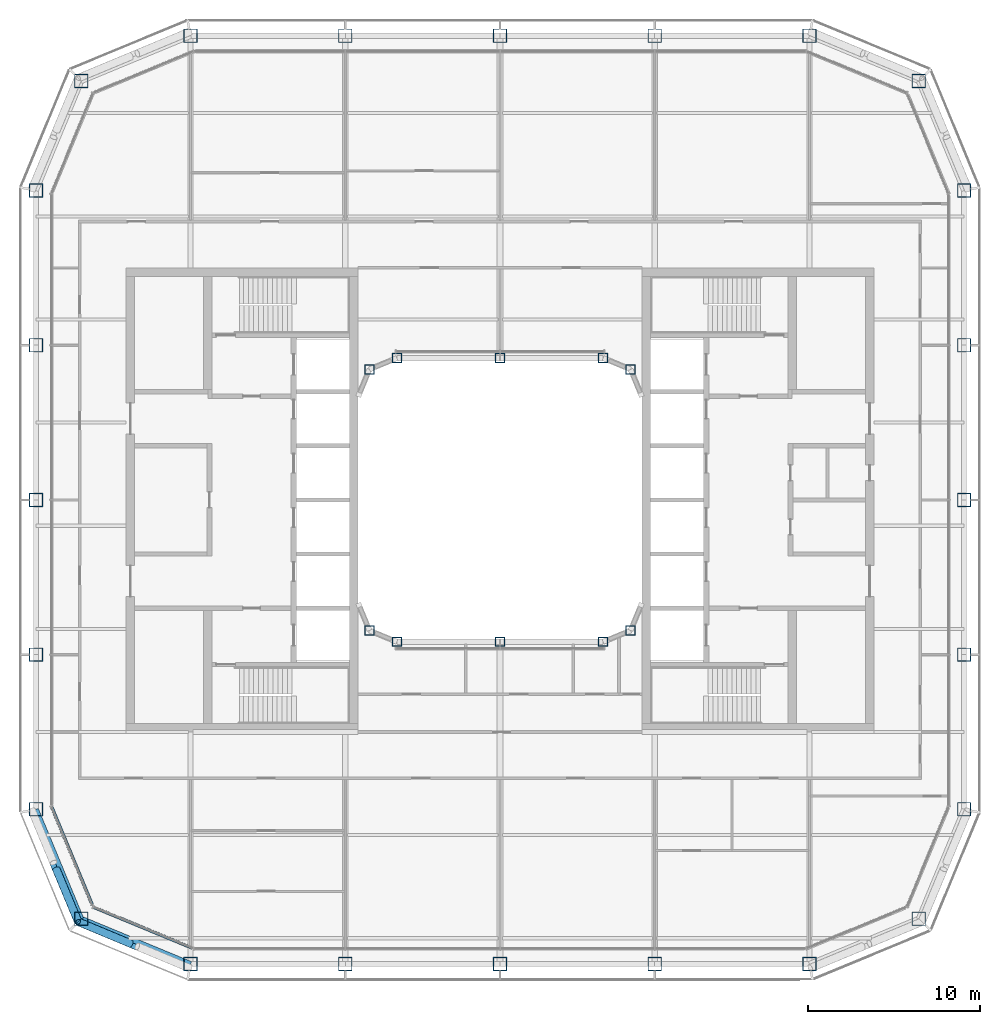
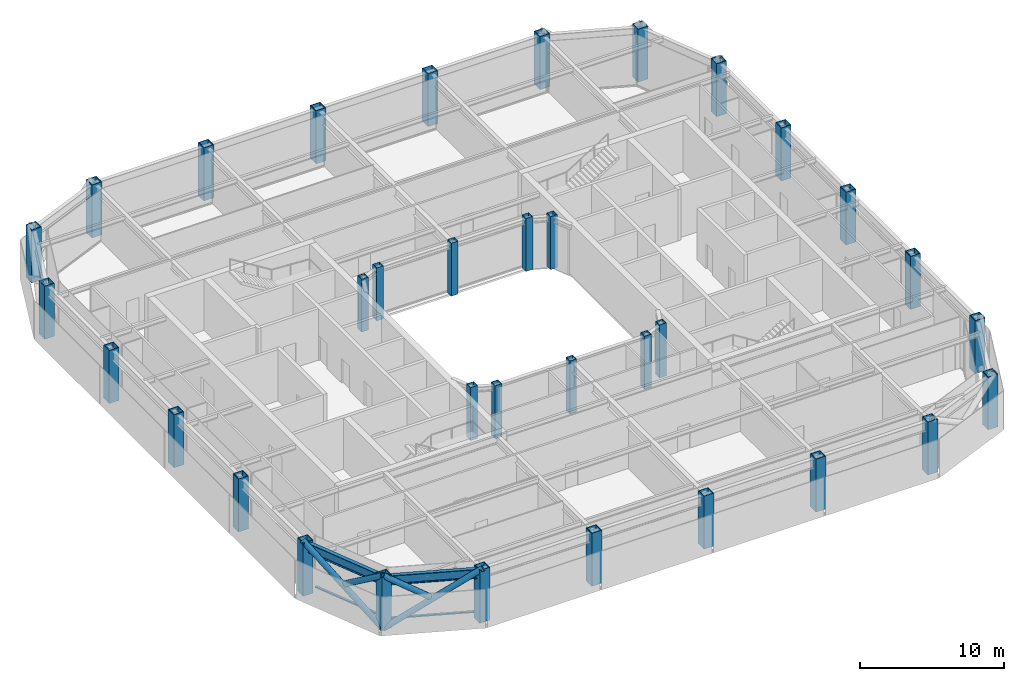
# One storey, part 1 of 19: 34 columns, 6 members, 2 beams, 2 elements without a shape of their own.
"""IFC4 building model written with IfcOpenShell, lengths in metres."""

from ifc_helpers import new_model, si_unit, direction, frame, origin, origin_2d, place, context, subcontext, project, spatial, rectangle, hollow_rectangle, hollow_circle, i_section, extrude, material, layer, layer_set, material_profile, profile_set, type_object, element, aggregate, save


model = new_model("IFC4")

# Units and contexts
model_context = context("Model", 3, precision=1e-05, world=origin(), true_north=direction((0.0, 1.0)))
body_context = subcontext(model_context, "Body", "Model", "MODEL_VIEW")
ifc_project = project(units=[si_unit("LENGTHUNIT", "METRE"), si_unit("AREAUNIT", "SQUARE_METRE"), si_unit("VOLUMEUNIT", "CUBIC_METRE"), si_unit("PLANEANGLEUNIT", "RADIAN"), si_unit("MASSUNIT", "GRAM", prefix="KILO")], contexts=[model_context])

# Site, building, storey
site_placement = place(None, origin())
site = spatial("IfcSite", under=ifc_project, at=site_placement, CompositionType="ELEMENT")
building_placement = place(site_placement, origin())
building = spatial("IfcBuilding", under=site, at=building_placement, Name="Siwar Civic Tower", CompositionType="ELEMENT")
storey_placement = place(building_placement, frame((0.0, 0.0, 264.699951171875)))
storey = spatial("IfcBuildingStorey", under=building, at=storey_placement, Name="L57", CompositionType="ELEMENT", Elevation=264.699951171875)

# Columns
ifc_material_1 = material(Name="Steel S355", Category="steel")
ifc_material_profile_1 = material_profile(ifc_material_1, hollow_rectangle(XDim=0.800048828125, YDim=0.800048828125, WallThickness=0.044921875, at=origin_2d()), Name="BOX800x800x45")
ifc_profile_set_1 = profile_set([ifc_material_profile_1], Name="Steel S355")
column_type_1 = type_object("IfcColumnType", Name="STR-COL-BOX800x800x45", PredefinedType="COLUMN", material=ifc_profile_set_1)
for number, where, z_axis, x_axis, name in (
    (1, (-18.0, -27.0, 0.0), (0.0, 0.0, 1.0), (1.0, 0.0, 0.0), "L57/col/S-0"),
    (2, (-9.0, -27.0, 0.0), (0.0, 0.0, 1.0), (1.0, 0.0, 0.0), "L57/col/S-1"),
    (3, (0.0, -27.0, 0.0), (0.0, 0.0, 1.0), (1.0, 0.0, 0.0), "L57/col/S-2"),
    (4, (9.0, -27.0, 0.0), (0.0, 0.0, 1.0), (1.0, 0.0, 0.0), "L57/col/S-3"),
    (5, (18.0, -27.0, 0.0), (0.0, 0.0, 1.0), (1.0, 0.0, 0.0), "L57/col/SE1-0"),
    (6, (24.364013671875, -24.364013671875, 0.0), (0.0, 0.0, 1.0), (1.0, 0.0, 0.0), "L57/col/SE2-0"),
    (7, (27.0, -18.0, 0.0), (0.0, 0.0, 1.0), (1.0, 0.0, 0.0), "L57/col/E-0"),
    (8, (27.0, -9.0, 0.0), (0.0, 0.0, 1.0), (1.0, 0.0, 0.0), "L57/col/E-1"),
    (9, (27.0, 0.0, 0.0), (0.0, 0.0, 1.0), (1.0, 0.0, 0.0), "L57/col/E-2"),
    (10, (27.0, 9.0, 0.0), (0.0, 0.0, 1.0), (1.0, 0.0, 0.0), "L57/col/E-3"),
    (11, (27.0, 18.0, 0.0), (0.0, 0.0, 1.0), (1.0, 0.0, 0.0), "L57/col/NE1-0"),
    (12, (24.364013671875, 24.364013671875, 0.0), (0.0, 0.0, 1.0), (1.0, 0.0, 0.0), "L57/col/NE2-0"),
    (13, (18.0, 27.0, 0.0), (0.0, 0.0, 1.0), (1.0, 0.0, 0.0), "L57/col/N-0"),
    (14, (9.0, 27.0, 0.0), (0.0, 0.0, 1.0), (1.0, 0.0, 0.0), "L57/col/N-1"),
    (15, (0.0, 27.0, 0.0), (0.0, 0.0, 1.0), (1.0, 0.0, 0.0), "L57/col/N-2"),
    (16, (-9.0, 27.0, 0.0), (0.0, 0.0, 1.0), (1.0, 0.0, 0.0), "L57/col/N-3"),
    (17, (-18.0, 27.0, 0.0), (0.0, 0.0, 1.0), (1.0, 0.0, 0.0), "L57/col/NW1-0"),
    (18, (-24.364013671875, 24.364013671875, 0.0), (0.0, 0.0, 1.0), (1.0, 0.0, 0.0), "L57/col/NW2-0"),
    (19, (-27.0, 18.0, 0.0), (0.0, 0.0, 1.0), (1.0, 0.0, 0.0), "L57/col/W-0"),
    (20, (-27.0, 9.0, 0.0), (0.0, 0.0, 1.0), (1.0, 0.0, 0.0), "L57/col/W-1"),
    (21, (-27.0, 0.0, 0.0), (0.0, 0.0, 1.0), (1.0, 0.0, 0.0), "L57/col/W-2"),
    (22, (-27.0, -9.0, 0.0), (0.0, 0.0, 1.0), (1.0, 0.0, 0.0), "L57/col/W-3"),
    (23, (-27.0, -18.0, 0.0), (0.0, 0.0, 1.0), (1.0, 0.0, 0.0), "L57/col/SW1-0"),
    (24, (-24.364013671875, -24.364013671875, 0.0), (0.0, 0.0, 1.0), (1.0, 0.0, 0.0), "L57/col/SW2-0"),
):
    element("IfcColumn", number, at=place(storey_placement, frame(where, z_axis=z_axis, x_axis=x_axis)), inside=storey, type_object=column_type_1, Name=name, PredefinedType="COLUMN", context=body_context, shape_type="SweptSolid", body=[
        extrude(hollow_rectangle(XDim=0.800048828125, YDim=0.800048828125, WallThickness=0.044921875, at=origin_2d()), origin(), (0.0, 0.0, 1.0), 4.5),
    ])
ifc_material_2 = material(Name="Steel S355", Category="steel")
ifc_material_profile_2 = material_profile(ifc_material_2, hollow_rectangle(XDim=0.550048828125, YDim=0.550048828125, WallThickness=0.028076171875, at=origin_2d()), Name="BOX550x550x28")
ifc_profile_set_2 = profile_set([ifc_material_profile_2], Name="Steel S355")
column_type_2 = type_object("IfcColumnType", Name="STR-ICOL-BOX550x550x28", PredefinedType="COLUMN", material=ifc_profile_set_2)
for number, where, z_axis, x_axis, name in (
    (25, (-7.591064453125, -7.591064453125, 0.0), (0.0, 0.0, 1.0), (1.0, 0.0, 0.0), "L57/col/IS-0"),
    (26, (-6.0, -8.25, 0.0), (0.0, 0.0, 1.0), (1.0, 0.0, 0.0), "L57/col/IS-1"),
    (27, (0.0, -8.25, 0.0), (0.0, 0.0, 1.0), (1.0, 0.0, 0.0), "L57/col/IS-2"),
    (28, (6.0, -8.25, 0.0), (0.0, 0.0, 1.0), (1.0, 0.0, 0.0), "L57/col/IS-3"),
    (29, (7.591064453125, -7.591064453125, 0.0), (0.0, 0.0, 1.0), (1.0, 0.0, 0.0), "L57/col/IS-4"),
    (30, (-7.591064453125, 7.591064453125, 0.0), (0.0, 0.0, 1.0), (1.0, 0.0, 0.0), "L57/col/IN-0"),
    (31, (-6.0, 8.25, 0.0), (0.0, 0.0, 1.0), (1.0, 0.0, 0.0), "L57/col/IN-1"),
    (32, (0.0, 8.25, 0.0), (0.0, 0.0, 1.0), (1.0, 0.0, 0.0), "L57/col/IN-2"),
    (33, (6.0, 8.25, 0.0), (0.0, 0.0, 1.0), (1.0, 0.0, 0.0), "L57/col/IN-3"),
    (34, (7.591064453125, 7.591064453125, 0.0), (0.0, 0.0, 1.0), (1.0, 0.0, 0.0), "L57/col/IN-4"),
):
    element("IfcColumn", number, at=place(storey_placement, frame(where, z_axis=z_axis, x_axis=x_axis)), inside=storey, type_object=column_type_2, Name=name, PredefinedType="COLUMN", context=body_context, shape_type="SweptSolid", body=[
        extrude(hollow_rectangle(XDim=0.550048828125, YDim=0.550048828125, WallThickness=0.028076171875, at=origin_2d()), origin(), (0.0, 0.0, 1.0), 4.5),
    ])

# Curtain wall, member
ifc_material_3 = material(Name="Aluminium clad insulated panel", Category="aluminium")
ifc_layer = layer(ifc_material_3, 0.179931640625)
ifc_layer_set = layer_set([ifc_layer], Name="Aluminium clad insulated panel")
curtain_wall_type = type_object("IfcCurtainWallType", Name="ENV-CW-CX", PredefinedType="NOTDEFINED", material=ifc_layer_set)
curtain_wall_1_placement = place(storey_placement, origin())
curtain_wall_1 = element("IfcCurtainWall", 35, at=curtain_wall_1_placement, inside=storey, type_object=curtain_wall_type, Name="Curtain wall C SW1", PredefinedType="NOTDEFINED")
ifc_material_4 = material(Name="Aluminium 6063-T6", Category="aluminium")
ifc_material_profile_3 = material_profile(ifc_material_4, rectangle(XDim=0.179931640625, YDim=0.10009765625, at=origin_2d()), Name="AL 180x100")
ifc_profile_set_3 = profile_set([ifc_material_profile_3], Name="Aluminium 6063-T6")
member_type_1 = type_object("IfcMemberType", Name="ENV-TRANSOM-C", PredefinedType="USERDEFINED", material=ifc_profile_set_3)
member_1_placement = place(storey_placement, frame((-26.088623046875, -17.8486328125, 0.050048828125), z_axis=(0.38267744817, -0.923882011223, 0.0), x_axis=(0.923882011223, 0.38267744817, 0.0)))
member_1 = element("IfcMember", 36, at=member_1_placement, type_object=member_type_1, Name="Transom C SW1 1", ObjectType="TRANSOM", PredefinedType="USERDEFINED", context=body_context, shape_type="SweptSolid", body=[
    extrude(rectangle(XDim=0.179931640625, YDim=0.10009765625, at=origin_2d()), origin(), (0.0, 0.0, 1.0), 6.201904296875),
])
aggregate(curtain_wall_1, [member_1])

curtain_wall_2_placement = place(storey_placement, origin())
curtain_wall_2 = element("IfcCurtainWall", 37, at=curtain_wall_2_placement, inside=storey, type_object=curtain_wall_type, Name="Curtain wall C SW2", PredefinedType="NOTDEFINED")
member_2_placement = place(storey_placement, frame((-23.6474609375, -23.6865234375, 0.050048828125), z_axis=(0.923876246063, -0.382691366456, 0.0), x_axis=(0.382691366456, 0.923876246063, 0.0)))
member_2 = element("IfcMember", 38, at=member_2_placement, type_object=member_type_1, Name="Transom C SW2 1", ObjectType="TRANSOM", PredefinedType="USERDEFINED", context=body_context, shape_type="SweptSolid", body=[
    extrude(rectangle(XDim=0.179931640625, YDim=0.10009765625, at=origin_2d()), origin(), (0.0, 0.0, 1.0), 6.20166015625),
])
aggregate(curtain_wall_2, [member_2])

# Members
ifc_material_5 = material(Name="Steel S355", Category="steel")
ifc_material_profile_4 = material_profile(ifc_material_5, hollow_circle(Radius=0.228515625, WallThickness=0.02001953125, at=origin_2d()), Name="CHS457x20")
ifc_profile_set_4 = profile_set([ifc_material_profile_4], Name="Steel S355")
member_type_2 = type_object("IfcMemberType", Name="STR-BR-CHS457x20", PredefinedType="BRACE", material=ifc_profile_set_4)
member_3_placement = place(storey_placement, frame((-24.540771484375, -24.540771484375, 0.0), z_axis=(0.777554562952, -0.323905527954, 0.538975055633), x_axis=(0.384538969033, 0.923108759191, 0.0)))
element("IfcMember", 39, at=member_3_placement, inside=storey, type_object=member_type_2, Name="L57/brc/CSW1-17-0-1", PredefinedType="BRACE", context=body_context, shape_type="SweptSolid", body=[
    extrude(hollow_circle(Radius=0.228515625, WallThickness=0.02001953125, at=origin_2d()), origin(), (0.0, 0.0, 1.0), 8.34912109375),
])
member_4_placement = place(storey_placement, frame((-21.486572265625, -25.81298828125, 2.383056640625), z_axis=(-0.777572496853, 0.323895306243, 0.538955325357), x_axis=(-0.38452107079, -0.92311621485, 0.0)))
element("IfcMember", 40, at=member_4_placement, inside=storey, type_object=member_type_2, Name="L57/brc/CSW1-17-0-3", PredefinedType="BRACE", context=body_context, shape_type="SweptSolid", body=[
    extrude(hollow_circle(Radius=0.228515625, WallThickness=0.02001953125, at=origin_2d()), origin(), (0.0, 0.0, 1.0), 3.927978515625),
])
member_5_placement = place(storey_placement, frame((-24.540771484375, -24.540771484375, 0.0), z_axis=(-0.323905527954, 0.777554562952, 0.538975055633), x_axis=(-0.923108759191, -0.384538969033, 0.0)))
element("IfcMember", 41, at=member_5_placement, inside=storey, type_object=member_type_2, Name="L57/brc/CSW1-17-0-0", PredefinedType="BRACE", context=body_context, shape_type="SweptSolid", body=[
    extrude(hollow_circle(Radius=0.228515625, WallThickness=0.02001953125, at=origin_2d()), origin(), (0.0, 0.0, 1.0), 8.34912109375),
])
member_6_placement = place(storey_placement, frame((-25.81298828125, -21.486572265625, 2.383056640625), z_axis=(0.323895306243, -0.777572496853, 0.538955325357), x_axis=(0.92311621485, 0.38452107079, 0.0)))
element("IfcMember", 42, at=member_6_placement, inside=storey, type_object=member_type_2, Name="L57/brc/CSW1-17-0-5", PredefinedType="BRACE", context=body_context, shape_type="SweptSolid", body=[
    extrude(hollow_circle(Radius=0.228515625, WallThickness=0.02001953125, at=origin_2d()), origin(), (0.0, 0.0, 1.0), 3.927978515625),
])

# Beams
ifc_material_6 = material(Name="Steel S355", Category="steel")
ifc_material_profile_5 = material_profile(ifc_material_6, i_section(OverallWidth=0.300048828125, OverallDepth=0.800048828125, WebThickness=0.017578125, FlangeThickness=0.032958984375, FilletRadius=0.030029296875, at=origin_2d()), Name="HEB800")
ifc_profile_set_5 = profile_set([ifc_material_profile_5], Name="Steel S355")
beam_type = type_object("IfcBeamType", Name="STR-SB-HEB800", PredefinedType="BEAM", material=ifc_profile_set_5)
for number, where, z_axis, x_axis, name in (
    (43, (-27.0, -18.0, 3.949951171875), (0.382674207535, -0.923883353507, 0.0), (0.923883353507, 0.382674207535, 0.0), "L57/bm/SSW1-0"),
    (44, (-24.364013671875, -24.364013671875, 3.949951171875), (0.923883353507, -0.382674207535, 0.0), (0.382674207535, 0.923883353507, 0.0), "L57/bm/SSW2-0"),
):
    element("IfcBeam", number, at=place(storey_placement, frame(where, z_axis=z_axis, x_axis=x_axis)), inside=storey, type_object=beam_type, Name=name, PredefinedType="BEAM", context=body_context, shape_type="SweptSolid", body=[
        extrude(i_section(OverallWidth=0.300048828125, OverallDepth=0.800048828125, WebThickness=0.017578125, FlangeThickness=0.032958984375, FilletRadius=0.030029296875, at=origin_2d()), origin(), (0.0, 0.0, 1.0), 6.888427734375),
    ])

save(model, "model.ifc")
